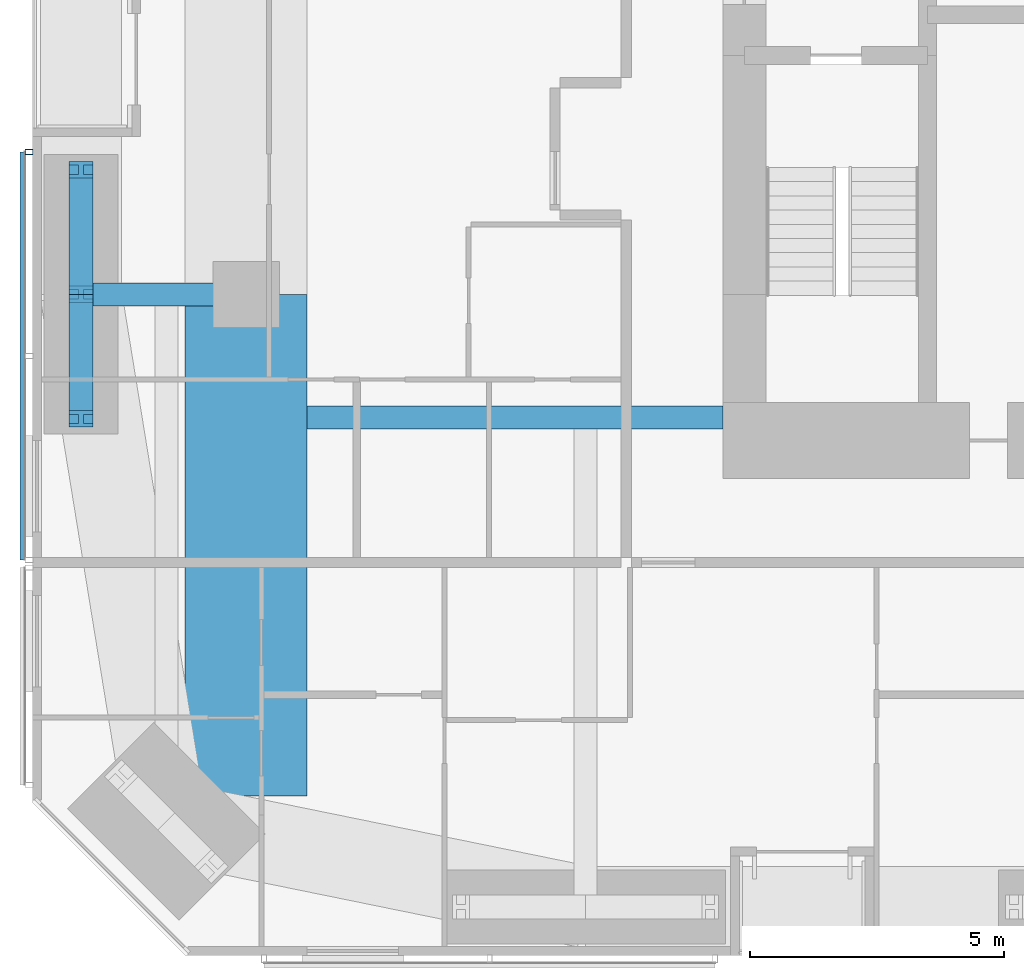
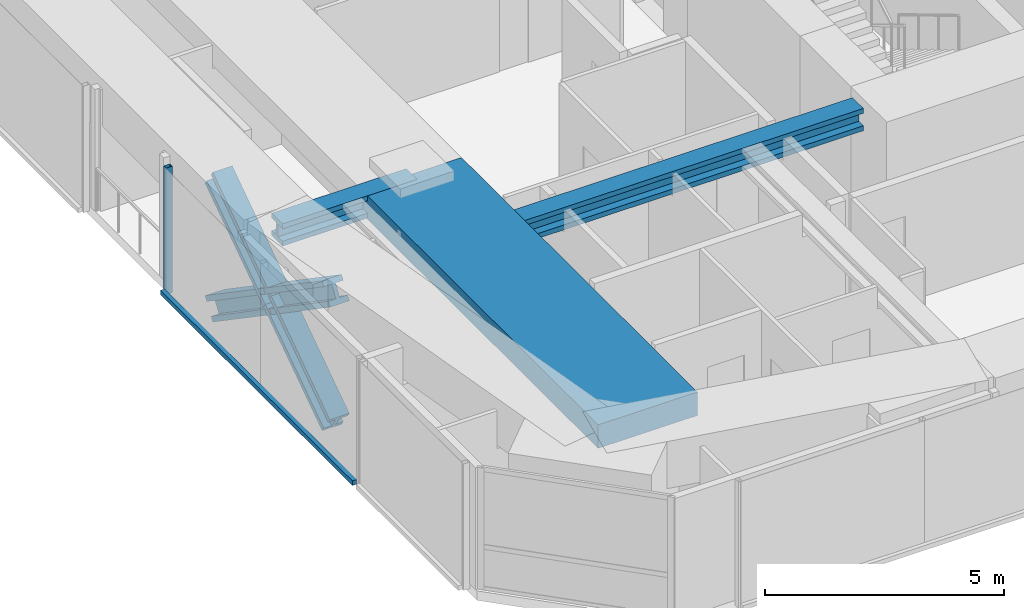
# One storey, part 3 of 23: 6 members, 3 beams, 1 element without a shape of its own.
"""IFC4 building model written with IfcOpenShell, lengths in metres."""

from ifc_helpers import new_model, si_unit, direction, frame, origin, origin_2d, place, context, subcontext, project, spatial, rectangle, hollow_rectangle, i_section, extrude, material, material_profile, profile_set, type_object, element, aggregate, save


model = new_model("IFC4")

# Units and contexts
model_context = context("Model", 3, precision=1e-05, world=origin(), true_north=direction((0.0, 1.0)))
body_context = subcontext(model_context, "Body", "Model", "MODEL_VIEW")
ifc_project = project(units=[si_unit("LENGTHUNIT", "METRE"), si_unit("AREAUNIT", "SQUARE_METRE"), si_unit("VOLUMEUNIT", "CUBIC_METRE"), si_unit("PLANEANGLEUNIT", "RADIAN"), si_unit("MASSUNIT", "GRAM", prefix="KILO")], contexts=[model_context])

# Site, building, storey
site_placement = place(None, origin())
site = spatial("IfcSite", under=ifc_project, at=site_placement, CompositionType="ELEMENT")
building_placement = place(site_placement, origin())
building = spatial("IfcBuilding", under=site, at=building_placement, Name="Jalousie Tower", CompositionType="ELEMENT")
storey_placement = place(building_placement, frame((0.0, 0.0, 104.85009765625)))
storey = spatial("IfcBuildingStorey", under=building, at=storey_placement, Name="L28", CompositionType="ELEMENT", Elevation=104.85009765625)

# Beams
ifc_material_1 = material(Name="Steel ASTM A992 Grade 50", Category="steel")
ifc_material_profile_1 = material_profile(ifc_material_1, i_section(OverallWidth=0.45458984375, OverallDepth=0.569091796875, WebThickness=0.077880859375, FlangeThickness=0.124755859375, at=origin_2d()), Name="W14X730")
ifc_profile_set_1 = profile_set([ifc_material_profile_1], Name="Steel ASTM A992 Grade 50")
beam_type_1 = type_object("IfcBeamType", Name="LEAN COLLECTOR W14X730", PredefinedType="BEAM", material=ifc_profile_set_1)
beam_1_placement = place(storey_placement, frame((6.949951171875, 13.0, 2.825439453125), z_axis=(1.0, 0.0, 0.0), x_axis=(0.0, 1.0, 0.0)))
element("IfcBeam", 1, at=beam_1_placement, inside=storey, type_object=beam_type_1, Name="Lean collector under L29", PredefinedType="BEAM", context=body_context, shape_type="SweptSolid", body=[
    extrude(i_section(OverallWidth=0.45458984375, OverallDepth=0.569091796875, WebThickness=0.077880859375, FlangeThickness=0.124755859375, at=origin_2d()), origin(), (0.0, 0.0, 1.0), 3.25),
])
beam_2_placement = place(storey_placement, frame((11.39990234375, 10.574951171875, 2.825439453125), z_axis=(1.0, 0.0, 0.0), x_axis=(0.0, 1.0, 0.0)))
element("IfcBeam", 2, at=beam_2_placement, inside=storey, type_object=beam_type_1, Name="Lean collector under L29", PredefinedType="BEAM", context=body_context, shape_type="SweptSolid", body=[
    extrude(i_section(OverallWidth=0.45458984375, OverallDepth=0.569091796875, WebThickness=0.077880859375, FlangeThickness=0.124755859375, at=origin_2d()), origin(), (0.0, 0.0, 1.0), 8.175048828125),
])

# Members
ifc_material_2 = material(Name="Steel ASTM A992 Grade 50", Category="steel")
ifc_material_profile_2 = material_profile(ifc_material_2, i_section(OverallWidth=0.472412109375, OverallDepth=0.5791015625, WebThickness=0.094970703125, FlangeThickness=0.1298828125, at=origin_2d()), Name="W14X808")
ifc_profile_set_2 = profile_set([ifc_material_profile_2], Name="Steel ASTM A992 Grade 50")
member_type_1 = type_object("IfcMemberType", Name="PERIMETER BRACE W14X808", PredefinedType="BRACE", material=ifc_profile_set_2)
for number, where, z_axis, x_axis, name in (
    (3, (6.949951171875, 10.550048828125, -0.60009765625), (0.0, 0.825500916831, 0.564400776321), (-1.0, 0.0, 0.0), "Perimeter brace 14 L28 part 1"),
    (4, (6.949951171875, 13.0, 1.074951171875), (0.0, 0.825500916831, 0.564400776321), (-1.0, 0.0, 0.0), "Perimeter brace 14 L28 part 2"),
    (5, (6.949951171875, 15.449951171875, -0.60009765625), (0.0, -0.825500916831, 0.564400776321), (1.0, 0.0, 0.0), "Perimeter brace 14 L28 part 3"),
    (6, (6.949951171875, 13.0, 1.074951171875), (0.0, -0.825500916831, 0.564400776321), (1.0, 0.0, 0.0), "Perimeter brace 14 L28 part 4"),
):
    element("IfcMember", number, at=place(storey_placement, frame(where, z_axis=z_axis, x_axis=x_axis)), inside=storey, type_object=member_type_1, Name=name, PredefinedType="BRACE", context=body_context, shape_type="SweptSolid", body=[
        extrude(i_section(OverallWidth=0.472412109375, OverallDepth=0.5791015625, WebThickness=0.094970703125, FlangeThickness=0.1298828125, at=origin_2d()), origin(), (0.0, 0.0, 1.0), 2.9677734375),
    ])

# Beam
ifc_material_3 = material(Name="Concrete f'c 40 MPa", Category="concrete")
ifc_material_profile_3 = material_profile(ifc_material_3, rectangle(XDim=2.39990234375, YDim=0.60009765625, at=origin_2d()), Name="RC 2400x600")
ifc_profile_set_3 = profile_set([ifc_material_profile_3], Name="Concrete f'c 40 MPa")
beam_type_2 = type_object("IfcBeamType", Name="RC BEAM 2400x600", PredefinedType="BEAM", material=ifc_profile_set_3)
beam_3_placement = place(storey_placement, frame((10.199951171875, 13.0, 2.809814453125), z_axis=(0.0, -1.0, 0.0), x_axis=(1.0, 0.0, 0.0)))
element("IfcBeam", 7, at=beam_3_placement, inside=storey, type_object=beam_type_2, Name="Floor band beam under L29", PredefinedType="BEAM", context=body_context, shape_type="SweptSolid", body=[
    extrude(rectangle(XDim=2.39990234375, YDim=0.60009765625, at=origin_2d()), origin(), (0.0, 0.0, 1.0), 9.8720703125),
])

# Curtain wall, members
ifc_material_4 = material(Name="Perforated aluminium sheet", Category="aluminium")
curtain_wall_type = type_object("IfcCurtainWallType", Name="SOLAR SCREEN SS-1", PredefinedType="USERDEFINED", material=ifc_material_4)
curtain_wall_placement = place(storey_placement, origin())
curtain_wall = element("IfcCurtainWall", 8, at=curtain_wall_placement, inside=storey, type_object=curtain_wall_type, Name="Solar screen L28", ObjectType="SOLAR SCREEN SS-1", PredefinedType="USERDEFINED")
ifc_material_5 = material(Name="Steel ASTM A500 Grade C", Category="steel")
ifc_material_profile_4 = material_profile(ifc_material_5, hollow_rectangle(XDim=0.1015625, YDim=0.15234375, WallThickness=0.00634765625, at=origin_2d()), Name="HSS6X4X1/4")
ifc_profile_set_4 = profile_set([ifc_material_profile_4], Name="Steel ASTM A500 Grade C")
member_type_2 = type_object("IfcMemberType", Name="SOLAR SCREEN SS-1 MULLION", PredefinedType="MULLION", material=ifc_profile_set_4)
member_1_placement = place(storey_placement, frame((5.9287109375, 15.800048828125, -0.1201171875), z_axis=(0.0, 0.0, 1.0), x_axis=(0.0, -1.0, 0.0)))
member_1 = element("IfcMember", 9, at=member_1_placement, type_object=member_type_2, Name="SS1 post 1", PredefinedType="MULLION", context=body_context, shape_type="SweptSolid", body=[
    extrude(hollow_rectangle(XDim=0.1015625, YDim=0.15234375, WallThickness=0.00634765625, at=origin_2d()), origin(), (0.0, 0.0, 1.0), 3.22998046875),
])
ifc_material_6 = material(Name="Extruded aluminium screen rail", Category="aluminium")
ifc_material_profile_5 = material_profile(ifc_material_6, rectangle(XDim=0.1015625, YDim=0.1201171875, at=origin_2d()), Name="RAIL 102x120")
ifc_profile_set_5 = profile_set([ifc_material_profile_5], Name="Extruded aluminium screen rail")
member_type_3 = type_object("IfcMemberType", Name="SOLAR SCREEN SS-1 TRANSOM", PredefinedType="USERDEFINED", material=ifc_profile_set_5)
member_2_placement = place(storey_placement, frame((5.8017578125, 15.800048828125, -0.06005859375), z_axis=(0.0, -1.0, 0.0), x_axis=(1.0, 0.0, 0.0)))
member_2 = element("IfcMember", 10, at=member_2_placement, type_object=member_type_3, Name="SS1 rail", ObjectType="TRANSOM", PredefinedType="USERDEFINED", context=body_context, shape_type="SweptSolid", body=[
    extrude(rectangle(XDim=0.1015625, YDim=0.1201171875, at=origin_2d()), origin(), (0.0, 0.0, 1.0), 8.025146484375),
])
aggregate(curtain_wall, [member_1, member_2])

save(model, "model.ifc")
